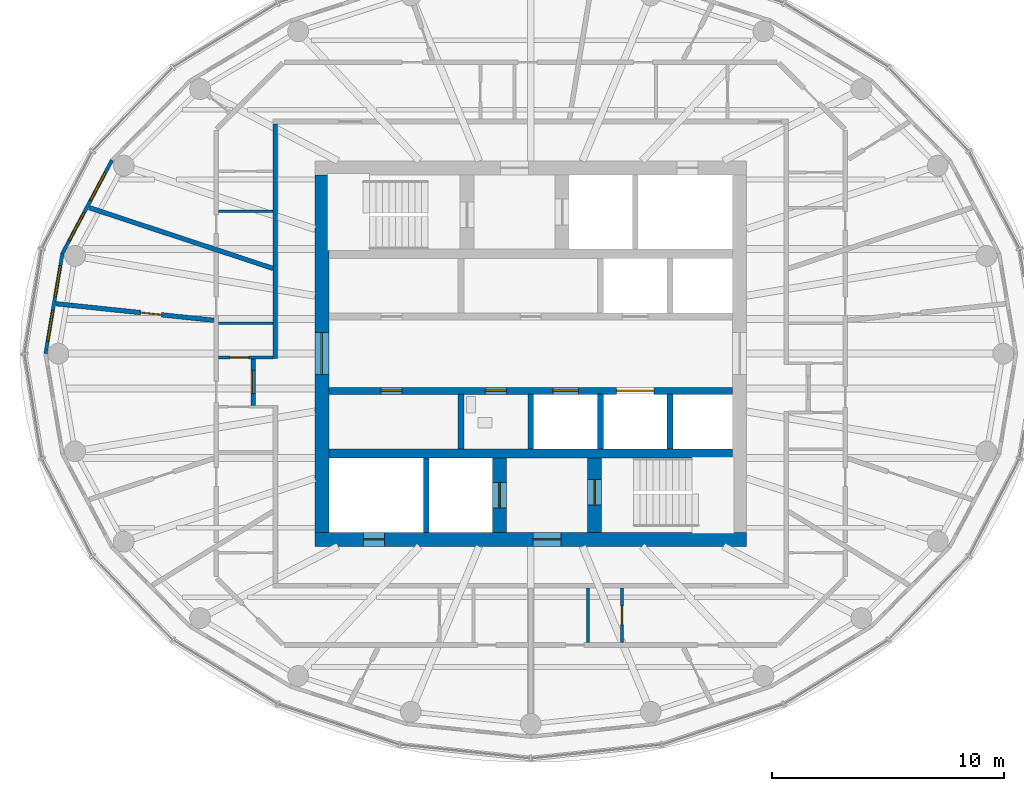
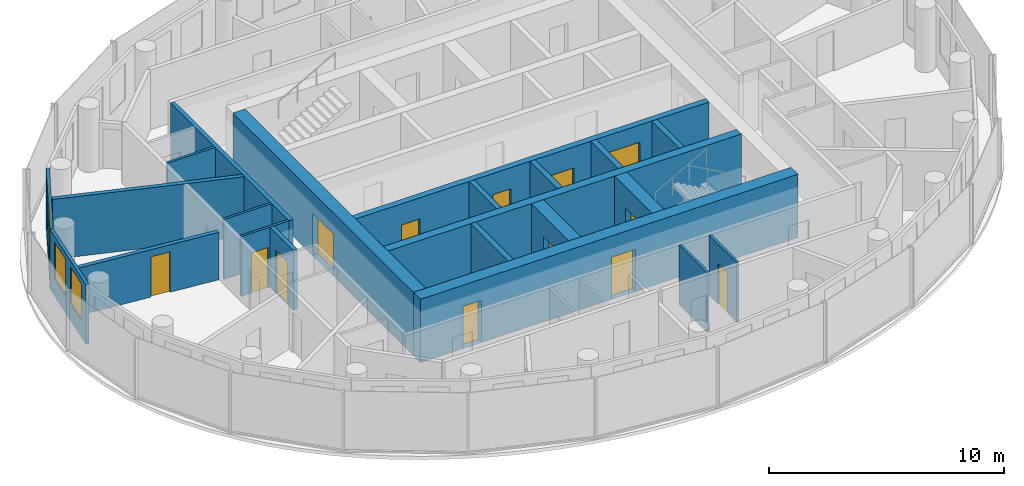
# One storey, part 6 of 12: 22 walls, 13 doors, 4 windows, 17 openings.
"""IFC4 building model written with IfcOpenShell, lengths in metres."""

from ifc_helpers import new_model, si_unit, direction, frame, frame_2d, origin, place, context, subcontext, project, spatial, rectangle, extrude, material, layer, layer_set, type_object, element, fill, save


model = new_model("IFC4")

# Units and contexts
model_context = context("Model", 3, precision=1e-05, world=origin(), true_north=direction((0.0, 1.0)))
body_context = subcontext(model_context, "Body", "Model", "MODEL_VIEW")
ifc_project = project(units=[si_unit("LENGTHUNIT", "METRE"), si_unit("AREAUNIT", "SQUARE_METRE"), si_unit("VOLUMEUNIT", "CUBIC_METRE"), si_unit("PLANEANGLEUNIT", "RADIAN"), si_unit("MASSUNIT", "GRAM", prefix="KILO")], contexts=[model_context])

# Site, building, storey
site_placement = place(None, origin())
site = spatial("IfcSite", under=ifc_project, at=site_placement, CompositionType="ELEMENT")
building_placement = place(site_placement, origin())
building = spatial("IfcBuilding", under=site, at=building_placement, Name="Hankou Lantern Tower", CompositionType="ELEMENT")
storey_placement = place(building_placement, frame((0.0, 0.0, 219.300048828125)))
storey = spatial("IfcBuildingStorey", under=building, at=storey_placement, Name="L59", CompositionType="ELEMENT", Elevation=219.300048828125)

# Wall, openings, doors
ifc_material_1 = material(Name="Concrete C60", Category="concrete")
ifc_layer_1 = layer(ifc_material_1, 0.60009765625)
ifc_layer_set_1 = layer_set([ifc_layer_1], Name="Concrete C60")
wall_type_1 = type_object("IfcWallType", Name="CW3 CORE WALL 600", PredefinedType="SHEAR", material=ifc_layer_set_1)
wall_1_placement = place(storey_placement, frame((9.300048828125, -8.0, 0.0), z_axis=(0.0, 0.0, 1.0), x_axis=(-1.0, 0.0, 0.0)))
wall_1 = element("IfcWall", 1, at=wall_1_placement, inside=storey, type_object=wall_type_1, Name="Core wall south L59", PredefinedType="SHEAR", context=body_context, shape_type="SweptSolid", body=[
    extrude(rectangle(XDim=18.60009765625, YDim=0.60009765625, at=frame_2d((9.300048828125, 0.0))), origin(), (0.0, 0.0, 1.0), 3.300048828125),
])
opening_1_placement = place(wall_1_placement, frame((8.0, 0.0, 0.0)))
opening_1 = element("IfcOpeningElement", 2, at=opening_1_placement, cuts=wall_1, Name="Opening D5", PredefinedType="OPENING", context=body_context, shape_type="SweptSolid", body=[
    extrude(rectangle(XDim=1.199951171875, YDim=2.199951171875, at=frame_2d((0.60009765625, 1.10009765625))), frame((0.0, 0.31005859375, 0.0), z_axis=(0.0, -1.0, 0.0), x_axis=(1.0, 0.0, 0.0)), (0.0, 0.0, 1.0), 0.6201171875),
])
opening_2_placement = place(wall_1_placement, frame((15.60009765625, 0.0, 0.0)))
opening_2 = element("IfcOpeningElement", 3, at=opening_2_placement, cuts=wall_1, Name="Opening D7", PredefinedType="OPENING", context=body_context, shape_type="SweptSolid", body=[
    extrude(rectangle(XDim=0.89990234375, YDim=2.199951171875, at=frame_2d((0.449951171875, 1.10009765625))), frame((0.0, 0.31005859375, 0.0), z_axis=(0.0, -1.0, 0.0), x_axis=(1.0, 0.0, 0.0)), (0.0, 0.0, 1.0), 0.6201171875),
])
ifc_material_2 = material(Name="Steel door leaf", Category="steel")
door_type_1 = type_object("IfcDoorType", Name="D5 STAIR LOBBY DOOR 1200X2200", OperationType="SINGLE_SWING_LEFT", PredefinedType="DOOR", material=ifc_material_2)
door_1_placement = place(opening_1_placement, origin())
door_1 = element("IfcDoor", 4, at=door_1_placement, inside=storey, type_object=door_type_1, Name="Stair B lobby door", OperationType="SINGLE_SWING_LEFT", OverallHeight=2.199951171875, OverallWidth=1.199951171875, PredefinedType="DOOR", context=body_context, shape_type="SweptSolid", body=[
    extrude(rectangle(XDim=1.199951171875, YDim=2.199951171875, at=frame_2d((0.60009765625, 1.10009765625))), frame((0.0, 0.02490234375, 0.0), z_axis=(0.0, -1.0, 0.0), x_axis=(1.0, 0.0, 0.0)), (0.0, 0.0, 1.0), 0.050048828125),
])
fill(opening_1, door_1)
ifc_material_3 = material(Name="Steel door leaf", Category="steel")
door_type_2 = type_object("IfcDoorType", Name="D7 RISER DOOR 900X2200", OperationType="SINGLE_SWING_LEFT", PredefinedType="DOOR", material=ifc_material_3)
door_2_placement = place(opening_2_placement, origin())
door_2 = element("IfcDoor", 5, at=door_2_placement, inside=storey, type_object=door_type_2, Name="Riser S1 door", OperationType="SINGLE_SWING_RIGHT", OverallHeight=2.199951171875, OverallWidth=0.89990234375, PredefinedType="DOOR", context=body_context, shape_type="SweptSolid", body=[
    extrude(rectangle(XDim=0.89990234375, YDim=2.199951171875, at=frame_2d((0.449951171875, 1.10009765625))), frame((0.0, 0.02490234375, 0.0), z_axis=(0.0, -1.0, 0.0), x_axis=(1.0, 0.0, 0.0)), (0.0, 0.0, 1.0), 0.050048828125),
])
fill(opening_2, door_2)

# Wall, opening, door
wall_2_placement = place(storey_placement, frame((-9.0, 7.699951171875, 0.0), z_axis=(0.0, 0.0, 1.0), x_axis=(0.0, -1.0, 0.0)))
wall_2 = element("IfcWall", 6, at=wall_2_placement, inside=storey, type_object=wall_type_1, Name="Core wall west L59", PredefinedType="SHEAR", context=body_context, shape_type="SweptSolid", body=[
    extrude(rectangle(XDim=15.39990234375, YDim=0.60009765625, at=frame_2d((7.699951171875, 0.0))), origin(), (0.0, 0.0, 1.0), 3.300048828125),
])
opening_3_placement = place(wall_2_placement, frame((6.800048828125, 0.0, 0.0)))
opening_3 = element("IfcOpeningElement", 7, at=opening_3_placement, cuts=wall_2, Name="Opening D6", PredefinedType="OPENING", context=body_context, shape_type="SweptSolid", body=[
    extrude(rectangle(XDim=1.800048828125, YDim=2.199951171875, at=frame_2d((0.89990234375, 1.10009765625))), frame((0.0, 0.31005859375, 0.0), z_axis=(0.0, -1.0, 0.0), x_axis=(1.0, 0.0, 0.0)), (0.0, 0.0, 1.0), 0.6201171875),
])
ifc_material_4 = material(Name="Steel door leaf", Category="steel")
door_type_3 = type_object("IfcDoorType", Name="D6 LIFT LOBBY DOOR 1800X2200", OperationType="DOUBLE_DOOR_DOUBLE_SWING", PredefinedType="DOOR", material=ifc_material_4)
door_3_placement = place(opening_3_placement, origin())
door_3 = element("IfcDoor", 8, at=door_3_placement, inside=storey, type_object=door_type_3, Name="Lift lobby west door", OperationType="DOUBLE_DOOR_DOUBLE_SWING", OverallHeight=2.199951171875, OverallWidth=1.800048828125, PredefinedType="DOOR", context=body_context, shape_type="SweptSolid", body=[
    extrude(rectangle(XDim=1.800048828125, YDim=2.199951171875, at=frame_2d((0.89990234375, 1.10009765625))), frame((0.0, 0.02490234375, 0.0), z_axis=(0.0, -1.0, 0.0), x_axis=(1.0, 0.0, 0.0)), (0.0, 0.0, 1.0), 0.050048828125),
])
fill(opening_3, door_3)

# Wall
ifc_material_5 = material(Name="Concrete C60", Category="concrete")
ifc_layer_2 = layer(ifc_material_5, 0.39990234375)
ifc_layer_set_2 = layer_set([ifc_layer_2], Name="Concrete C60")
wall_type_2 = type_object("IfcWallType", Name="CW4 CORE CROSS WALL 400", PredefinedType="SHEAR", material=ifc_layer_set_2)
wall_3_placement = place(storey_placement, frame((-8.699951171875, -4.300048828125, 0.0), z_axis=(0.0, 0.0, 1.0), x_axis=(1.0, 0.0, 0.0)))
element("IfcWall", 9, at=wall_3_placement, inside=storey, type_object=wall_type_2, Name="Core band wall south L59", PredefinedType="SHEAR", context=body_context, shape_type="SweptSolid", body=[
    extrude(rectangle(XDim=17.39990234375, YDim=0.39990234375, at=frame_2d((8.699951171875, 0.0))), origin(), (0.0, 0.0, 1.0), 3.300048828125),
])

# Wall, openings, doors
ifc_material_6 = material(Name="Concrete C60", Category="concrete")
ifc_layer_3 = layer(ifc_material_6, 0.300048828125)
ifc_layer_set_3 = layer_set([ifc_layer_3], Name="Concrete C60")
wall_type_3 = type_object("IfcWallType", Name="CW5 LIFT LOBBY WALL 300", PredefinedType="SHEAR", material=ifc_layer_set_3)
wall_4_placement = place(storey_placement, frame((-8.699951171875, -1.60009765625, 0.0), z_axis=(0.0, 0.0, 1.0), x_axis=(1.0, 0.0, 0.0)))
wall_4 = element("IfcWall", 10, at=wall_4_placement, inside=storey, type_object=wall_type_3, Name="Lift lobby wall south L59", PredefinedType="SHEAR", context=body_context, shape_type="SweptSolid", body=[
    extrude(rectangle(XDim=17.39990234375, YDim=0.300048828125, at=frame_2d((8.699951171875, 0.0))), origin(), (0.0, 0.0, 1.0), 3.300048828125),
])
opening_4_placement = place(wall_4_placement, frame((9.64990234375, 0.0, 0.0)))
opening_4 = element("IfcOpeningElement", 11, at=opening_4_placement, cuts=wall_4, Name="Opening LD1", PredefinedType="OPENING", context=body_context, shape_type="SweptSolid", body=[
    extrude(rectangle(XDim=1.10009765625, YDim=2.199951171875, at=frame_2d((0.550048828125, 1.10009765625))), frame((0.0, 0.159912109375, 0.0), z_axis=(0.0, -1.0, 0.0), x_axis=(1.0, 0.0, 0.0)), (0.0, 0.0, 1.0), 0.320068359375),
])
opening_5_placement = place(wall_4_placement, frame((12.39990234375, 0.0, 0.0)))
opening_5 = element("IfcOpeningElement", 12, at=opening_5_placement, cuts=wall_4, Name="Opening LD4", PredefinedType="OPENING", context=body_context, shape_type="SweptSolid", body=[
    extrude(rectangle(XDim=1.60009765625, YDim=2.39990234375, at=frame_2d((0.800048828125, 1.199951171875))), frame((0.0, 0.159912109375, 0.0), z_axis=(0.0, -1.0, 0.0), x_axis=(1.0, 0.0, 0.0)), (0.0, 0.0, 1.0), 0.320068359375),
])
opening_6_placement = place(wall_4_placement, frame((2.25, 0.0, 0.0)))
opening_6 = element("IfcOpeningElement", 13, at=opening_6_placement, cuts=wall_4, Name="Opening D30", PredefinedType="OPENING", context=body_context, shape_type="SweptSolid", body=[
    extrude(rectangle(XDim=0.89990234375, YDim=2.199951171875, at=frame_2d((0.449951171875, 1.10009765625))), frame((0.0, 0.159912109375, 0.0), z_axis=(0.0, -1.0, 0.0), x_axis=(1.0, 0.0, 0.0)), (0.0, 0.0, 1.0), 0.320068359375),
])
opening_7_placement = place(wall_4_placement, frame((6.75, 0.0, 0.0)))
opening_7 = element("IfcOpeningElement", 14, at=opening_7_placement, cuts=wall_4, Name="Opening D30", PredefinedType="OPENING", context=body_context, shape_type="SweptSolid", body=[
    extrude(rectangle(XDim=0.89990234375, YDim=2.199951171875, at=frame_2d((0.449951171875, 1.10009765625))), frame((0.0, 0.159912109375, 0.0), z_axis=(0.0, -1.0, 0.0), x_axis=(1.0, 0.0, 0.0)), (0.0, 0.0, 1.0), 0.320068359375),
])
ifc_material_7 = material(Name="Steel door leaf", Category="steel")
door_type_4 = type_object("IfcDoorType", Name="D30 CORE ROOM DOOR 900X2200", OperationType="SINGLE_SWING_LEFT", PredefinedType="DOOR", material=ifc_material_7)
door_4_placement = place(opening_6_placement, origin())
door_4 = element("IfcDoor", 15, at=door_4_placement, inside=storey, type_object=door_type_4, Name="Housekeeping and linen store door", OperationType="SINGLE_SWING_LEFT", OverallHeight=2.199951171875, OverallWidth=0.89990234375, PredefinedType="DOOR", context=body_context, shape_type="SweptSolid", body=[
    extrude(rectangle(XDim=0.89990234375, YDim=2.199951171875, at=frame_2d((0.449951171875, 1.10009765625))), frame((0.0, 0.02490234375, 0.0), z_axis=(0.0, -1.0, 0.0), x_axis=(1.0, 0.0, 0.0)), (0.0, 0.0, 1.0), 0.050048828125),
])
fill(opening_6, door_4)
door_5_placement = place(opening_7_placement, origin())
door_5 = element("IfcDoor", 16, at=door_5_placement, inside=storey, type_object=door_type_4, Name="Accessible staff WC door", OperationType="SINGLE_SWING_LEFT", OverallHeight=2.199951171875, OverallWidth=0.89990234375, PredefinedType="DOOR", context=body_context, shape_type="SweptSolid", body=[
    extrude(rectangle(XDim=0.89990234375, YDim=2.199951171875, at=frame_2d((0.449951171875, 1.10009765625))), frame((0.0, 0.02490234375, 0.0), z_axis=(0.0, -1.0, 0.0), x_axis=(1.0, 0.0, 0.0)), (0.0, 0.0, 1.0), 0.050048828125),
])
fill(opening_7, door_5)
ifc_material_8 = material(Name="Steel door leaf", Category="steel")
door_type_5 = type_object("IfcDoorType", Name="LD1 LIFT LANDING DOOR 1100X2200", OperationType="DOUBLE_DOOR_SLIDING", PredefinedType="DOOR", material=ifc_material_8)
door_6_placement = place(opening_4_placement, origin())
door_6 = element("IfcDoor", 17, at=door_6_placement, inside=storey, type_object=door_type_5, Name="Lift T2 landing door", OperationType="DOUBLE_DOOR_SLIDING", OverallHeight=2.199951171875, OverallWidth=1.10009765625, PredefinedType="DOOR", context=body_context, shape_type="SweptSolid", body=[
    extrude(rectangle(XDim=1.10009765625, YDim=2.199951171875, at=frame_2d((0.550048828125, 1.10009765625))), frame((0.0, 0.02490234375, 0.0), z_axis=(0.0, -1.0, 0.0), x_axis=(1.0, 0.0, 0.0)), (0.0, 0.0, 1.0), 0.050048828125),
])
fill(opening_4, door_6)
ifc_material_9 = material(Name="Steel door leaf", Category="steel")
door_type_6 = type_object("IfcDoorType", Name="LD4 SERVICE LIFT LANDING DOOR 1600X2400", OperationType="DOUBLE_DOOR_SLIDING", PredefinedType="DOOR", material=ifc_material_9)
door_7_placement = place(opening_5_placement, origin())
door_7 = element("IfcDoor", 18, at=door_7_placement, inside=storey, type_object=door_type_6, Name="Lift SV1 landing door", OperationType="DOUBLE_DOOR_SLIDING", OverallHeight=2.39990234375, OverallWidth=1.60009765625, PredefinedType="DOOR", context=body_context, shape_type="SweptSolid", body=[
    extrude(rectangle(XDim=1.60009765625, YDim=2.39990234375, at=frame_2d((0.800048828125, 1.199951171875))), frame((0.0, 0.02490234375, 0.0), z_axis=(0.0, -1.0, 0.0), x_axis=(1.0, 0.0, 0.0)), (0.0, 0.0, 1.0), 0.050048828125),
])
fill(opening_5, door_7)

# Wall, opening, door
ifc_material_10 = material(Name="Concrete C60", Category="concrete")
ifc_layer_4 = layer(ifc_material_10, 0.60009765625)
ifc_layer_set_4 = layer_set([ifc_layer_4], Name="Concrete C60")
wall_type_4 = type_object("IfcWallType", Name="CW6 STAIR AND SHAFT WALL 600", PredefinedType="SHEAR", material=ifc_layer_set_4)
wall_5_placement = place(storey_placement, frame((2.75, -7.699951171875, 0.0), z_axis=(0.0, 0.0, 1.0), x_axis=(0.0, 1.0, 0.0)))
wall_5 = element("IfcWall", 19, at=wall_5_placement, inside=storey, type_object=wall_type_4, Name="Stair wall L59", PredefinedType="SHEAR", context=body_context, shape_type="SweptSolid", body=[
    extrude(rectangle(XDim=3.199951171875, YDim=0.60009765625, at=frame_2d((1.60009765625, 0.0))), origin(), (0.0, 0.0, 1.0), 3.300048828125),
])
opening_8_placement = place(wall_5_placement, frame((1.175048828125, 0.0, 0.0)))
opening_8 = element("IfcOpeningElement", 20, at=opening_8_placement, cuts=wall_5, Name="Opening D4", PredefinedType="OPENING", context=body_context, shape_type="SweptSolid", body=[
    extrude(rectangle(XDim=1.10009765625, YDim=2.199951171875, at=frame_2d((0.550048828125, 1.10009765625))), frame((0.0, 0.31005859375, 0.0), z_axis=(0.0, -1.0, 0.0), x_axis=(1.0, 0.0, 0.0)), (0.0, 0.0, 1.0), 0.6201171875),
])
ifc_material_11 = material(Name="Steel door leaf", Category="steel")
door_type_7 = type_object("IfcDoorType", Name="D4 STAIR DOOR 1100X2200", OperationType="SINGLE_SWING_LEFT", PredefinedType="DOOR", material=ifc_material_11)
door_8_placement = place(opening_8_placement, origin())
door_8 = element("IfcDoor", 21, at=door_8_placement, inside=storey, type_object=door_type_7, Name="Stair B door", OperationType="SINGLE_SWING_RIGHT", OverallHeight=2.199951171875, OverallWidth=1.10009765625, PredefinedType="DOOR", context=body_context, shape_type="SweptSolid", body=[
    extrude(rectangle(XDim=1.10009765625, YDim=2.199951171875, at=frame_2d((0.550048828125, 1.10009765625))), frame((0.0, 0.02490234375, 0.0), z_axis=(0.0, -1.0, 0.0), x_axis=(1.0, 0.0, 0.0)), (0.0, 0.0, 1.0), 0.050048828125),
])
fill(opening_8, door_8)

wall_6_placement = place(storey_placement, frame((-1.35009765625, -7.699951171875, 0.0), z_axis=(0.0, 0.0, 1.0), x_axis=(0.0, 1.0, 0.0)))
wall_6 = element("IfcWall", 22, at=wall_6_placement, inside=storey, type_object=wall_type_4, Name="Firefighting lift shaft wall L59", PredefinedType="SHEAR", context=body_context, shape_type="SweptSolid", body=[
    extrude(rectangle(XDim=3.199951171875, YDim=0.60009765625, at=frame_2d((1.60009765625, 0.0))), origin(), (0.0, 0.0, 1.0), 3.300048828125),
])
opening_9_placement = place(wall_6_placement, frame((1.050048828125, 0.0, 0.0)))
opening_9 = element("IfcOpeningElement", 23, at=opening_9_placement, cuts=wall_6, Name="Opening LD2", PredefinedType="OPENING", context=body_context, shape_type="SweptSolid", body=[
    extrude(rectangle(XDim=1.10009765625, YDim=2.199951171875, at=frame_2d((0.550048828125, 1.10009765625))), frame((0.0, 0.31005859375, 0.0), z_axis=(0.0, -1.0, 0.0), x_axis=(1.0, 0.0, 0.0)), (0.0, 0.0, 1.0), 0.6201171875),
])
ifc_material_12 = material(Name="Steel door leaf", Category="steel")
door_type_8 = type_object("IfcDoorType", Name="LD2 FIREFIGHTING LIFT LANDING DOOR 1100X2200", OperationType="DOUBLE_DOOR_SLIDING", PredefinedType="DOOR", material=ifc_material_12)
door_9_placement = place(opening_9_placement, origin())
door_9 = element("IfcDoor", 24, at=door_9_placement, inside=storey, type_object=door_type_8, Name="Firefighting lift FL2 landing door", OperationType="DOUBLE_DOOR_SLIDING", OverallHeight=2.199951171875, OverallWidth=1.10009765625, PredefinedType="DOOR", context=body_context, shape_type="SweptSolid", body=[
    extrude(rectangle(XDim=1.10009765625, YDim=2.199951171875, at=frame_2d((0.550048828125, 1.10009765625))), frame((0.0, 0.02490234375, 0.0), z_axis=(0.0, -1.0, 0.0), x_axis=(1.0, 0.0, 0.0)), (0.0, 0.0, 1.0), 0.050048828125),
])
fill(opening_9, door_9)

# Wall, openings, windows
ifc_material_13 = material(Name="Aluminium spandrel panel on steel studs", Category="steel")
ifc_layer_5 = layer(ifc_material_13, 0.14990234375)
ifc_layer_set_5 = layer_set([ifc_layer_5], Name="Aluminium spandrel panel on steel studs")
wall_type_5 = type_object("IfcWallType", Name="EW1 INNER SKIN WALL 150", PredefinedType="ELEMENTEDWALL", material=ifc_layer_set_5)
wall_7_placement = place(storey_placement, frame((-18.03955078125, 8.33203125, 0.0), z_axis=(0.0, 0.0, 1.0), x_axis=(-0.469256152955, -0.883062094597, 0.0)))
wall_7 = element("IfcWall", 25, at=wall_7_placement, inside=storey, type_object=wall_type_5, Name="Inner skin R11-R12 L59", PredefinedType="ELEMENTEDWALL", context=body_context, shape_type="SweptSolid", body=[
    extrude(rectangle(XDim=4.539306640625, YDim=0.14990234375, at=frame_2d((2.26953125, 0.0))), origin(), (0.0, 0.0, 1.0), 3.119873046875),
])
opening_10_placement = place(wall_7_placement, frame((0.61962890625, 0.0, 0.89990234375)))
opening_10 = element("IfcOpeningElement", 26, at=opening_10_placement, cuts=wall_7, Name="Opening W4", PredefinedType="OPENING", context=body_context, shape_type="SweptSolid", body=[
    extrude(rectangle(XDim=1.35009765625, YDim=1.89990234375, at=frame_2d((0.675048828125, 0.949951171875))), frame((0.0, 0.0849609375, 0.0), z_axis=(0.0, -1.0, 0.0), x_axis=(1.0, 0.0, 0.0)), (0.0, 0.0, 1.0), 0.169921875),
])
opening_11_placement = place(wall_7_placement, frame((2.569580078125, 0.0, 0.89990234375)))
opening_11 = element("IfcOpeningElement", 27, at=opening_11_placement, cuts=wall_7, Name="Opening W4", PredefinedType="OPENING", context=body_context, shape_type="SweptSolid", body=[
    extrude(rectangle(XDim=1.35009765625, YDim=1.89990234375, at=frame_2d((0.675048828125, 0.949951171875))), frame((0.0, 0.0849609375, 0.0), z_axis=(0.0, -1.0, 0.0), x_axis=(1.0, 0.0, 0.0)), (0.0, 0.0, 1.0), 0.169921875),
])
ifc_material_14 = material(Name="Aluminium framed double glazed window", Category="aluminium")
window_type = type_object("IfcWindowType", Name="W4 SUITE WINDOW 1350X1900", PartitioningType="DOUBLE_PANEL_VERTICAL", PredefinedType="WINDOW", material=ifc_material_14)
window_1_placement = place(opening_10_placement, origin())
window_1 = element("IfcWindow", 28, at=window_1_placement, inside=storey, type_object=window_type, Name="Window R11.1 L59", OverallHeight=1.89990234375, OverallWidth=1.35009765625, PartitioningType="SINGLE_PANEL", PredefinedType="WINDOW", context=body_context, shape_type="SweptSolid", body=[
    extrude(rectangle(XDim=1.35009765625, YDim=1.89990234375, at=frame_2d((0.675048828125, 0.949951171875))), frame((0.0, 0.030029296875, 0.0), z_axis=(0.0, -1.0, 0.0), x_axis=(1.0, 0.0, 0.0)), (0.0, 0.0, 1.0), 0.06005859375),
])
fill(opening_10, window_1)
window_2_placement = place(opening_11_placement, origin())
window_2 = element("IfcWindow", 29, at=window_2_placement, inside=storey, type_object=window_type, Name="Window R11.2 L59", OverallHeight=1.89990234375, OverallWidth=1.35009765625, PartitioningType="SINGLE_PANEL", PredefinedType="WINDOW", context=body_context, shape_type="SweptSolid", body=[
    extrude(rectangle(XDim=1.35009765625, YDim=1.89990234375, at=frame_2d((0.675048828125, 0.949951171875))), frame((0.0, 0.030029296875, 0.0), z_axis=(0.0, -1.0, 0.0), x_axis=(1.0, 0.0, 0.0)), (0.0, 0.0, 1.0), 0.06005859375),
])
fill(opening_11, window_2)

wall_8_placement = place(storey_placement, frame((-20.169677734375, 4.323486328125, 0.0), z_axis=(0.0, 0.0, 1.0), x_axis=(-0.166538513568, -0.986034950445, 0.0)))
wall_8 = element("IfcWall", 30, at=wall_8_placement, inside=storey, type_object=wall_type_5, Name="Inner skin R12-R13 L59", PredefinedType="ELEMENTEDWALL", context=body_context, shape_type="SweptSolid", body=[
    extrude(rectangle(XDim=4.384765625, YDim=0.14990234375, at=frame_2d((2.1923828125, 0.0))), origin(), (0.0, 0.0, 1.0), 3.119873046875),
])
opening_12_placement = place(wall_8_placement, frame((0.54248046875, 0.0, 0.89990234375)))
opening_12 = element("IfcOpeningElement", 31, at=opening_12_placement, cuts=wall_8, Name="Opening W4", PredefinedType="OPENING", context=body_context, shape_type="SweptSolid", body=[
    extrude(rectangle(XDim=1.35009765625, YDim=1.89990234375, at=frame_2d((0.675048828125, 0.949951171875))), frame((0.0, 0.0849609375, 0.0), z_axis=(0.0, -1.0, 0.0), x_axis=(1.0, 0.0, 0.0)), (0.0, 0.0, 1.0), 0.169921875),
])
opening_13_placement = place(wall_8_placement, frame((2.492431640625, 0.0, 0.89990234375)))
opening_13 = element("IfcOpeningElement", 32, at=opening_13_placement, cuts=wall_8, Name="Opening W4", PredefinedType="OPENING", context=body_context, shape_type="SweptSolid", body=[
    extrude(rectangle(XDim=1.35009765625, YDim=1.89990234375, at=frame_2d((0.675048828125, 0.949951171875))), frame((0.0, 0.0849609375, 0.0), z_axis=(0.0, -1.0, 0.0), x_axis=(1.0, 0.0, 0.0)), (0.0, 0.0, 1.0), 0.169921875),
])
window_3_placement = place(opening_12_placement, origin())
window_3 = element("IfcWindow", 33, at=window_3_placement, inside=storey, type_object=window_type, Name="Window R12.1 L59", OverallHeight=1.89990234375, OverallWidth=1.35009765625, PartitioningType="SINGLE_PANEL", PredefinedType="WINDOW", context=body_context, shape_type="SweptSolid", body=[
    extrude(rectangle(XDim=1.35009765625, YDim=1.89990234375, at=frame_2d((0.675048828125, 0.949951171875))), frame((0.0, 0.030029296875, 0.0), z_axis=(0.0, -1.0, 0.0), x_axis=(1.0, 0.0, 0.0)), (0.0, 0.0, 1.0), 0.06005859375),
])
fill(opening_12, window_3)
window_4_placement = place(opening_13_placement, origin())
window_4 = element("IfcWindow", 34, at=window_4_placement, inside=storey, type_object=window_type, Name="Window R12.2 L59", OverallHeight=1.89990234375, OverallWidth=1.35009765625, PartitioningType="SINGLE_PANEL", PredefinedType="WINDOW", context=body_context, shape_type="SweptSolid", body=[
    extrude(rectangle(XDim=1.35009765625, YDim=1.89990234375, at=frame_2d((0.675048828125, 0.949951171875))), frame((0.0, 0.030029296875, 0.0), z_axis=(0.0, -1.0, 0.0), x_axis=(1.0, 0.0, 0.0)), (0.0, 0.0, 1.0), 0.06005859375),
])
fill(opening_13, window_4)

# Walls
ifc_material_15 = material(Name="Masonry lightweight concrete block", Category="masonry")
ifc_layer_6 = layer(ifc_material_15, 0.199951171875)
ifc_layer_set_6 = layer_set([ifc_layer_6], Name="Masonry lightweight concrete block")
wall_type_6 = type_object("IfcWallType", Name="IW1 GUEST ROOM PARTY WALL 200", PredefinedType="PARTITIONING", material=ifc_layer_set_6)
wall_9_placement = place(storey_placement, frame((-11.10009765625, 3.668701171875, 0.0), z_axis=(0.0, 0.0, 1.0), x_axis=(-0.949476668397, 0.313837627079, 0.0)))
element("IfcWall", 35, at=wall_9_placement, inside=storey, type_object=wall_type_6, Name="Party wall R11-R12", PredefinedType="PARTITIONING", context=body_context, shape_type="SweptSolid", body=[
    extrude(rectangle(XDim=8.338623046875, YDim=0.199951171875, at=frame_2d((4.16943359375, 0.0))), origin(), (0.0, 0.0, 1.0), 3.119873046875),
])
ifc_material_16 = material(Name="Masonry lightweight concrete block", Category="masonry")
ifc_layer_7 = layer(ifc_material_16, 0.199951171875)
ifc_layer_set_7 = layer_set([ifc_layer_7], Name="Masonry lightweight concrete block")
wall_type_7 = type_object("IfcWallType", Name="IW2 CORRIDOR WALL 200", PredefinedType="PARTITIONING", material=ifc_layer_set_7)
wall_10_placement = place(storey_placement, frame((-11.0, 9.89990234375, 0.0), z_axis=(0.0, 0.0, 1.0), x_axis=(0.0, -1.0, 0.0)))
element("IfcWall", 36, at=wall_10_placement, inside=storey, type_object=wall_type_7, Name="Corridor wall west", PredefinedType="PARTITIONING", context=body_context, shape_type="SweptSolid", body=[
    extrude(rectangle(XDim=10.1142578125, YDim=0.199951171875, at=frame_2d((5.05712890625, 0.0))), origin(), (0.0, 0.0, 1.0), 3.119873046875),
])

# Wall, opening, door
wall_11_placement = place(storey_placement, frame((-11.949951171875, -0.224365234375, 0.0), z_axis=(0.0, 0.0, 1.0), x_axis=(0.0, -1.0, 0.0)))
wall_11 = element("IfcWall", 37, at=wall_11_placement, inside=storey, type_object=wall_type_7, Name="Suite entrance recess wall 5903", PredefinedType="PARTITIONING", context=body_context, shape_type="SweptSolid", body=[
    extrude(rectangle(XDim=2.0, YDim=0.199951171875, at=frame_2d((1.0, 0.0))), origin(), (0.0, 0.0, 1.0), 3.119873046875),
])
opening_14_placement = place(wall_11_placement, frame((0.5, 0.0, 0.0)))
opening_14 = element("IfcOpeningElement", 38, at=opening_14_placement, cuts=wall_11, Name="Opening D2", PredefinedType="OPENING", context=body_context, shape_type="SweptSolid", body=[
    extrude(rectangle(XDim=1.0, YDim=2.199951171875, at=frame_2d((0.5, 1.10009765625))), frame((0.0, 0.10986328125, 0.0), z_axis=(0.0, -1.0, 0.0), x_axis=(1.0, 0.0, 0.0)), (0.0, 0.0, 1.0), 0.219970703125),
])
ifc_material_17 = material(Name="Steel door leaf", Category="steel")
door_type_9 = type_object("IfcDoorType", Name="D2 SUITE DOOR 1000X2200", OperationType="SINGLE_SWING_LEFT", PredefinedType="DOOR", material=ifc_material_17)
door_10_placement = place(opening_14_placement, origin())
door_10 = element("IfcDoor", 39, at=door_10_placement, inside=storey, type_object=door_type_9, Name="Suite door 5903", OperationType="SINGLE_SWING_LEFT", OverallHeight=2.199951171875, OverallWidth=1.0, PredefinedType="DOOR", context=body_context, shape_type="SweptSolid", body=[
    extrude(rectangle(XDim=1.0, YDim=2.199951171875, at=frame_2d((0.5, 1.10009765625))), frame((0.0, 0.02490234375, 0.0), z_axis=(0.0, -1.0, 0.0), x_axis=(1.0, 0.0, 0.0)), (0.0, 0.0, 1.0), 0.050048828125),
])
fill(opening_14, door_10)

# Walls
ifc_material_18 = material(Name="Masonry lightweight concrete block", Category="masonry")
ifc_layer_8 = layer(ifc_material_18, 0.1201171875)
ifc_layer_set_8 = layer_set([ifc_layer_8], Name="Masonry lightweight concrete block")
wall_type_8 = type_object("IfcWallType", Name="IW3 BATHROOM WALL 120", PredefinedType="PARTITIONING", material=ifc_layer_set_8)
for number, where, z_axis, x_axis, name in (
    (40, (-11.10009765625, 6.13525390625, 0.0), (0.0, 0.0, 1.0), (-1.0, 0.0, 0.0), "Box wall 5902 4"),
    (41, (-11.10009765625, 1.3056640625, 0.0), (0.0, 0.0, 1.0), (-1.0, 0.0, 0.0), "Box wall 5903 1"),
):
    element("IfcWall", number, at=place(storey_placement, frame(where, z_axis=z_axis, x_axis=x_axis)), inside=storey, type_object=wall_type_8, Name=name, PredefinedType="PARTITIONING", context=body_context, shape_type="SweptSolid", body=[
        extrude(rectangle(XDim=2.349853515625, YDim=0.1201171875, at=frame_2d((1.1748046875, 0.0))), origin(), (0.0, 0.0, 1.0), 3.119873046875),
    ])

# Wall, opening, door
wall_12_placement = place(storey_placement, frame((-11.10009765625, -0.164306640625, 0.0), z_axis=(0.0, 0.0, 1.0), x_axis=(-1.0, 0.0, 0.0)))
wall_12 = element("IfcWall", 42, at=wall_12_placement, inside=storey, type_object=wall_type_8, Name="Box wall 5903 2", PredefinedType="PARTITIONING", context=body_context, shape_type="SweptSolid", body=[
    extrude(rectangle(XDim=2.349853515625, YDim=0.1201171875, at=frame_2d((1.1748046875, 0.0))), origin(), (0.0, 0.0, 1.0), 3.119873046875),
])
opening_15_placement = place(wall_12_placement, frame((1.050048828125, 0.0, 0.0)))
opening_15 = element("IfcOpeningElement", 43, at=opening_15_placement, cuts=wall_12, Name="Opening D3", PredefinedType="OPENING", context=body_context, shape_type="SweptSolid", body=[
    extrude(rectangle(XDim=0.800048828125, YDim=2.10009765625, at=frame_2d((0.39990234375, 1.050048828125))), frame((0.0, 0.070068359375, 0.0), z_axis=(0.0, -1.0, 0.0), x_axis=(1.0, 0.0, 0.0)), (0.0, 0.0, 1.0), 0.14013671875),
])
ifc_material_19 = material(Name="Timber door leaf", Category="wood")
door_type_10 = type_object("IfcDoorType", Name="D3 BATHROOM DOOR 800X2100", OperationType="SINGLE_SWING_LEFT", PredefinedType="DOOR", material=ifc_material_19)
door_11_placement = place(opening_15_placement, origin())
door_11 = element("IfcDoor", 44, at=door_11_placement, inside=storey, type_object=door_type_10, Name="Family suite 5903 guest WC door", OperationType="SINGLE_SWING_LEFT", OverallHeight=2.10009765625, OverallWidth=0.800048828125, PredefinedType="DOOR", context=body_context, shape_type="SweptSolid", body=[
    extrude(rectangle(XDim=0.800048828125, YDim=2.10009765625, at=frame_2d((0.39990234375, 1.050048828125))), frame((0.0, 0.02490234375, 0.0), z_axis=(0.0, -1.0, 0.0), x_axis=(1.0, 0.0, 0.0)), (0.0, 0.0, 1.0), 0.050048828125),
])
fill(opening_15, door_11)

# Wall
wall_13_placement = place(storey_placement, frame((2.4609375, -10.10009765625, 0.0), z_axis=(0.0, 0.0, 1.0), x_axis=(0.0, -1.0, 0.0)))
element("IfcWall", 45, at=wall_13_placement, inside=storey, type_object=wall_type_8, Name="Box wall 5905 1", PredefinedType="PARTITIONING", context=body_context, shape_type="SweptSolid", body=[
    extrude(rectangle(XDim=2.349853515625, YDim=0.1201171875, at=frame_2d((1.1748046875, 0.0))), origin(), (0.0, 0.0, 1.0), 3.119873046875),
])

# Wall, opening, door
wall_14_placement = place(storey_placement, frame((3.930908203125, -10.10009765625, 0.0), z_axis=(0.0, 0.0, 1.0), x_axis=(0.0, -1.0, 0.0)))
wall_14 = element("IfcWall", 46, at=wall_14_placement, inside=storey, type_object=wall_type_8, Name="Box wall 5905 2", PredefinedType="PARTITIONING", context=body_context, shape_type="SweptSolid", body=[
    extrude(rectangle(XDim=2.349853515625, YDim=0.1201171875, at=frame_2d((1.1748046875, 0.0))), origin(), (0.0, 0.0, 1.0), 3.119873046875),
])
opening_16_placement = place(wall_14_placement, frame((0.77001953125, 0.0, 0.0)))
opening_16 = element("IfcOpeningElement", 47, at=opening_16_placement, cuts=wall_14, Name="Opening D3", PredefinedType="OPENING", context=body_context, shape_type="SweptSolid", body=[
    extrude(rectangle(XDim=0.800048828125, YDim=2.10009765625, at=frame_2d((0.39990234375, 1.050048828125))), frame((0.0, 0.070068359375, 0.0), z_axis=(0.0, -1.0, 0.0), x_axis=(1.0, 0.0, 0.0)), (0.0, 0.0, 1.0), 0.14013671875),
])
door_12_placement = place(opening_16_placement, origin())
door_12 = element("IfcDoor", 48, at=door_12_placement, inside=storey, type_object=door_type_10, Name="Suite 5905 guest WC door", OperationType="SINGLE_SWING_LEFT", OverallHeight=2.10009765625, OverallWidth=0.800048828125, PredefinedType="DOOR", context=body_context, shape_type="SweptSolid", body=[
    extrude(rectangle(XDim=0.800048828125, YDim=2.10009765625, at=frame_2d((0.39990234375, 1.050048828125))), frame((0.0, 0.02490234375, 0.0), z_axis=(0.0, -1.0, 0.0), x_axis=(1.0, 0.0, 0.0)), (0.0, 0.0, 1.0), 0.050048828125),
])
fill(opening_16, door_12)

ifc_material_20 = material(Name="Masonry lightweight concrete block", Category="masonry")
ifc_layer_9 = layer(ifc_material_20, 0.199951171875)
ifc_layer_set_9 = layer_set([ifc_layer_9], Name="Masonry lightweight concrete block")
wall_type_9 = type_object("IfcWallType", Name="IW6 SUITE PARTITION 200", PredefinedType="PARTITIONING", material=ifc_layer_set_9)
wall_15_placement = place(storey_placement, frame((-13.64990234375, 1.433837890625, 0.0), z_axis=(0.0, 0.0, 1.0), x_axis=(-0.994526954268, 0.10448031984, 0.0)))
wall_15 = element("IfcWall", 49, at=wall_15_placement, inside=storey, type_object=wall_type_9, Name="Suite partition R12-R13", PredefinedType="PARTITIONING", context=body_context, shape_type="SweptSolid", body=[
    extrude(rectangle(XDim=6.837158203125, YDim=0.199951171875, at=frame_2d((3.41845703125, 0.0))), origin(), (0.0, 0.0, 1.0), 2.469970703125),
])
opening_17_placement = place(wall_15_placement, frame((2.27001953125, 0.0, 0.0)))
opening_17 = element("IfcOpeningElement", 50, at=opening_17_placement, cuts=wall_15, Name="Opening D27", PredefinedType="OPENING", context=body_context, shape_type="SweptSolid", body=[
    extrude(rectangle(XDim=0.89990234375, YDim=2.10009765625, at=frame_2d((0.449951171875, 1.050048828125))), frame((0.0, 0.10986328125, 0.0), z_axis=(0.0, -1.0, 0.0), x_axis=(1.0, 0.0, 0.0)), (0.0, 0.0, 1.0), 0.219970703125),
])
ifc_material_21 = material(Name="Timber door leaf", Category="wood")
door_type_11 = type_object("IfcDoorType", Name="D27 INTERNAL DOOR 900X2100", OperationType="SINGLE_SWING_LEFT", PredefinedType="DOOR", material=ifc_material_21)
door_13_placement = place(opening_17_placement, origin())
door_13 = element("IfcDoor", 51, at=door_13_placement, inside=storey, type_object=door_type_11, Name="Family suite 5903 bedroom door", OperationType="SINGLE_SWING_LEFT", OverallHeight=2.10009765625, OverallWidth=0.89990234375, PredefinedType="DOOR", context=body_context, shape_type="SweptSolid", body=[
    extrude(rectangle(XDim=0.89990234375, YDim=2.10009765625, at=frame_2d((0.449951171875, 1.050048828125))), frame((0.0, 0.02490234375, 0.0), z_axis=(0.0, -1.0, 0.0), x_axis=(1.0, 0.0, 0.0)), (0.0, 0.0, 1.0), 0.050048828125),
])
fill(opening_17, door_13)

# Walls
ifc_material_22 = material(Name="Masonry autoclaved aerated concrete block", Category="masonry")
ifc_layer_10 = layer(ifc_material_22, 0.25)
ifc_layer_set_10 = layer_set([ifc_layer_10], Name="Masonry autoclaved aerated concrete block")
wall_type_10 = type_object("IfcWallType", Name="SW1 SHAFT BLOCK WALL 250", PredefinedType="PARTITIONING", material=ifc_layer_set_10)
wall_16_placement = place(storey_placement, frame((-4.5, -7.699951171875, 0.0), z_axis=(0.0, 0.0, 1.0), x_axis=(0.0, 1.0, 0.0)))
element("IfcWall", 52, at=wall_16_placement, inside=storey, type_object=wall_type_10, Name="Riser wall L59", PredefinedType="PARTITIONING", context=body_context, shape_type="SweptSolid", body=[
    extrude(rectangle(XDim=3.199951171875, YDim=0.25, at=frame_2d((1.60009765625, 0.0))), origin(), (0.0, 0.0, 1.0), 3.300048828125),
])
for number, where, z_axis, x_axis, name in (
    (53, (-3.0, -4.10009765625, 0.0), (0.0, 0.0, 1.0), (0.0, 1.0, 0.0), "Lift shaft wall L59"),
    (54, (0.0, -4.10009765625, 0.0), (0.0, 0.0, 1.0), (0.0, 1.0, 0.0), "Lift shaft wall L59"),
    (55, (3.0, -4.10009765625, 0.0), (0.0, 0.0, 1.0), (0.0, 1.0, 0.0), "Lift shaft wall L59"),
    (56, (6.0, -4.10009765625, 0.0), (0.0, 0.0, 1.0), (0.0, 1.0, 0.0), "Lift shaft wall L59"),
):
    element("IfcWall", number, at=place(storey_placement, frame(where, z_axis=z_axis, x_axis=x_axis)), inside=storey, type_object=wall_type_10, Name=name, PredefinedType="PARTITIONING", context=body_context, shape_type="SweptSolid", body=[
        extrude(rectangle(XDim=2.35009765625, YDim=0.25, at=frame_2d((1.175048828125, 0.0))), origin(), (0.0, 0.0, 1.0), 3.300048828125),
    ])

save(model, "model.ifc")
